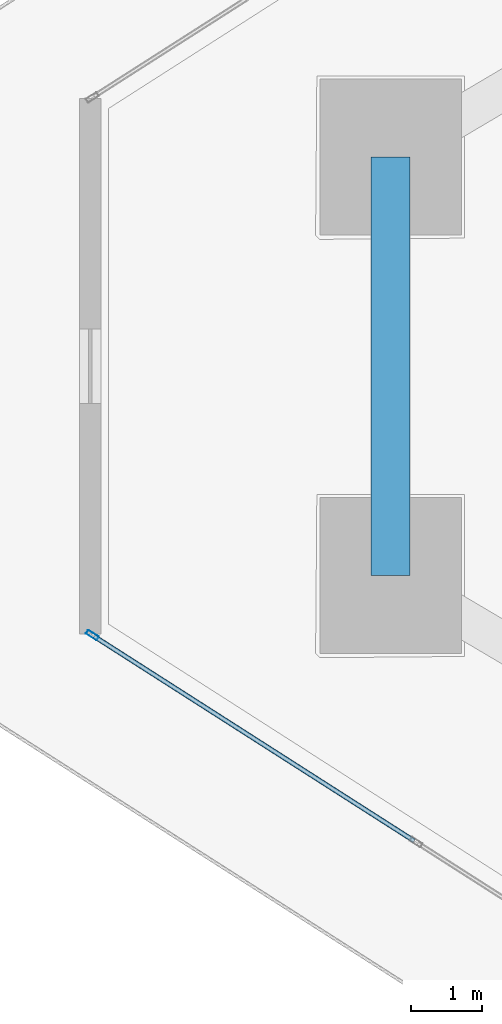
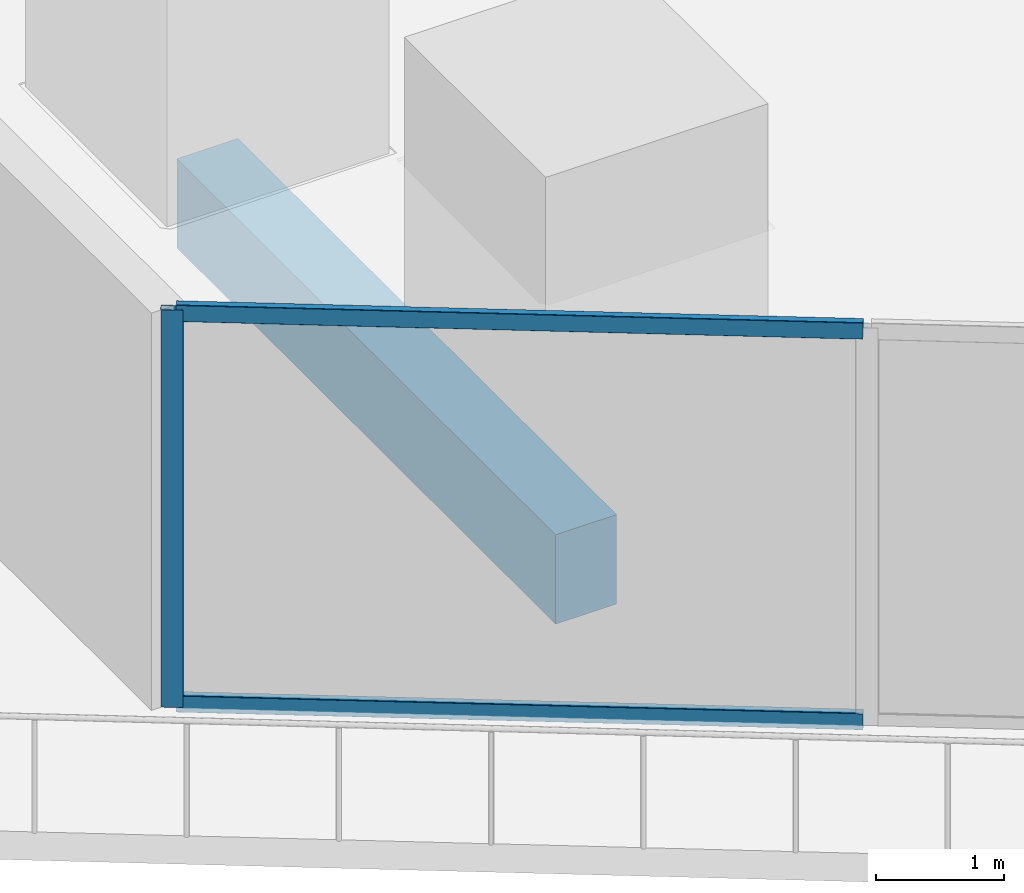
# One storey, part 4 of 38: 3 members, 1 beam, 1 element without a shape of its own.
"""IFC4 building model written with IfcOpenShell, lengths in metres."""

from ifc_helpers import new_model, si_unit, direction, frame, origin, origin_2d, place, context, subcontext, project, spatial, rectangle, hollow_rectangle, extrude, material, layer, layer_set, material_profile, profile_set, type_object, element, aggregate, save


model = new_model("IFC4")

# Units and contexts
model_context = context("Model", 3, precision=1e-05, world=origin(), true_north=direction((0.0, 1.0)))
body_context = subcontext(model_context, "Body", "Model", "MODEL_VIEW")
ifc_project = project(units=[si_unit("LENGTHUNIT", "METRE"), si_unit("AREAUNIT", "SQUARE_METRE"), si_unit("VOLUMEUNIT", "CUBIC_METRE"), si_unit("PLANEANGLEUNIT", "RADIAN"), si_unit("MASSUNIT", "GRAM", prefix="KILO")], contexts=[model_context])

# Site, building, storey
site_placement = place(None, origin())
site = spatial("IfcSite", under=ifc_project, at=site_placement, CompositionType="ELEMENT")
building_placement = place(site_placement, origin())
building = spatial("IfcBuilding", under=site, at=building_placement, Name="Qorvath Tower", CompositionType="ELEMENT")
storey_placement = place(building_placement, frame((0.0, 0.0, 134.10009765625)))
storey = spatial("IfcBuildingStorey", under=building, at=storey_placement, Name="L30", CompositionType="ELEMENT", Elevation=134.10009765625)

# Beam
ifc_material_1 = material(Name="Concrete C50/60", Category="concrete")
ifc_material_profile_1 = material_profile(ifc_material_1, rectangle(XDim=0.550048828125, YDim=0.85009765625, at=origin_2d()), Name="RCB 850x550")
ifc_profile_set_1 = profile_set([ifc_material_profile_1], Name="Concrete C50/60")
beam_type = type_object("IfcBeamType", Name="BM-RCB2", PredefinedType="SPANDREL", material=ifc_profile_set_1)
beam_placement = place(storey_placement, frame((-53.04931640625, 2.95068359375, -0.695068359375), z_axis=(0.0, -1.0, 0.0), x_axis=(1.0, 0.0, 0.0)))
element("IfcBeam", 1, at=beam_placement, inside=storey, type_object=beam_type, Name="Perimeter Loggia Frame Beam MC1-MC2 L30", PredefinedType="SPANDREL", context=body_context, shape_type="SweptSolid", body=[
    extrude(rectangle(XDim=0.550048828125, YDim=0.85009765625, at=origin_2d()), origin(), (0.0, 0.0, 1.0), 5.9013671875),
])

# Curtain wall, members
ifc_material_2 = material(Name="Anodised aluminium and triple low-E glass", Category="aluminium")
ifc_layer = layer(ifc_material_2, 0.179931640625)
ifc_layer_set = layer_set([ifc_layer], Name="CW-SYS-3")
curtain_wall_type = type_object("IfcCurtainWallType", Name="CW-SYS-3", PredefinedType="NOTDEFINED", material=ifc_layer_set)
curtain_wall_placement = place(storey_placement, origin())
curtain_wall = element("IfcCurtainWall", 2, at=curtain_wall_placement, inside=storey, type_object=curtain_wall_type, Name="Curtain Wall CW-3 CW-T-L30-2.1", PredefinedType="NOTDEFINED")
ifc_material_3 = material(Name="Anodised aluminium 6063-T6", Category="aluminium")
ifc_material_profile_2 = material_profile(ifc_material_3, hollow_rectangle(XDim=0.06494140625, YDim=0.179931640625, WallThickness=0.00341796875, InnerFilletRadius=0.00341796875, OuterFilletRadius=0.007080078125, at=origin_2d()), Name="CWM 180x65")
ifc_profile_set_2 = profile_set([ifc_material_profile_2], Name="Anodised aluminium 6063-T6")
member_type_1 = type_object("IfcMemberType", Name="CWM-180", PredefinedType="MULLION", material=ifc_profile_set_2)
member_1_placement = place(storey_placement, frame((-57.259033203125, -3.79345703125, 0.0), z_axis=(0.0, 0.0, 1.0), x_axis=(0.538534399095, 0.842603525385, 0.0)))
member_1 = element("IfcMember", 3, at=member_1_placement, type_object=member_type_1, Name="CW-3 mullion 1", PredefinedType="MULLION", context=body_context, shape_type="SweptSolid", body=[
    extrude(hollow_rectangle(XDim=0.06494140625, YDim=0.179931640625, WallThickness=0.00341796875, InnerFilletRadius=0.00341796875, OuterFilletRadius=0.007080078125, at=origin_2d()), origin(), (0.0, 0.0, 1.0), 3.77978515625),
])
ifc_material_4 = material(Name="Anodised aluminium 6063-T6", Category="aluminium")
ifc_material_profile_3 = material_profile(ifc_material_4, hollow_rectangle(XDim=0.06494140625, YDim=0.159912109375, WallThickness=0.00341796875, InnerFilletRadius=0.00341796875, OuterFilletRadius=0.007080078125, at=origin_2d()), Name="CWT 160x65")
ifc_profile_set_3 = profile_set([ifc_material_profile_3], Name="Anodised aluminium 6063-T6")
member_type_2 = type_object("IfcMemberType", Name="CWT-160", PredefinedType="USERDEFINED", material=ifc_profile_set_3)
member_2_placement = place(storey_placement, frame((-57.231689453125, -3.810791015625, 0.032470703125), z_axis=(0.842589967804, -0.538555611015, 0.0), x_axis=(0.538555611015, 0.842589967804, 0.0)))
member_2 = element("IfcMember", 4, at=member_2_placement, type_object=member_type_2, Name="CW-3 transom 1.1", ObjectType="TRANSOM", PredefinedType="USERDEFINED", context=body_context, shape_type="SweptSolid", body=[
    extrude(hollow_rectangle(XDim=0.06494140625, YDim=0.159912109375, WallThickness=0.00341796875, InnerFilletRadius=0.00341796875, OuterFilletRadius=0.007080078125, at=origin_2d()), origin(), (0.0, 0.0, 1.0), 5.35595703125),
])
member_3_placement = place(storey_placement, frame((-57.231689453125, -3.810791015625, 3.747314453125), z_axis=(0.842589967804, -0.538555611015, 0.0), x_axis=(0.538555611015, 0.842589967804, 0.0)))
member_3 = element("IfcMember", 5, at=member_3_placement, type_object=member_type_2, Name="CW-3 transom 1.2", ObjectType="TRANSOM", PredefinedType="USERDEFINED", context=body_context, shape_type="SweptSolid", body=[
    extrude(hollow_rectangle(XDim=0.06494140625, YDim=0.159912109375, WallThickness=0.00341796875, InnerFilletRadius=0.00341796875, OuterFilletRadius=0.007080078125, at=origin_2d()), origin(), (0.0, 0.0, 1.0), 5.35595703125),
])
aggregate(curtain_wall, [member_1, member_2, member_3])

save(model, "model.ifc")
